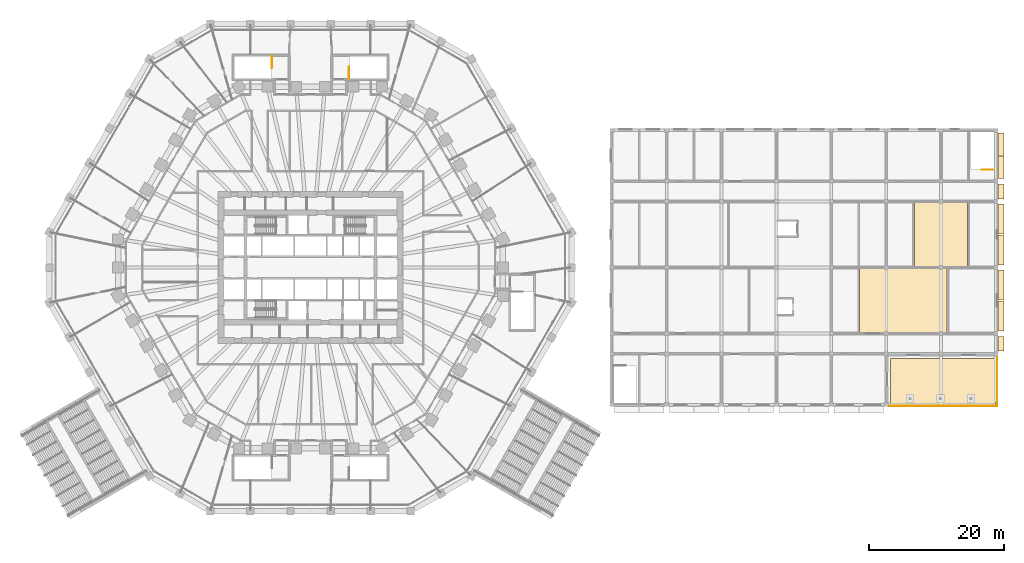
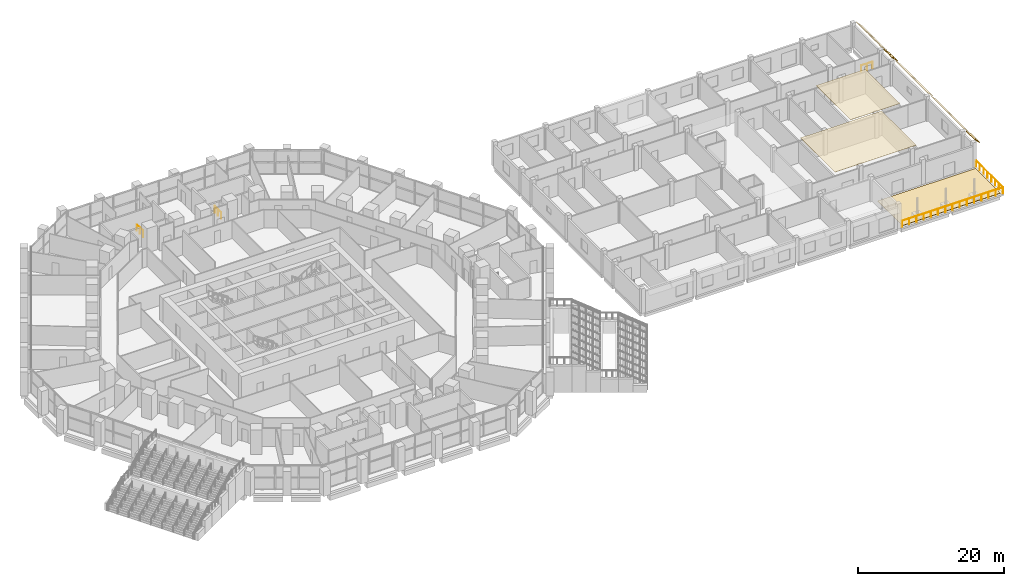
# One storey, part 36 of 38: 11 coverings, 4 railings.
"""IFC4 building model written with IfcOpenShell, lengths in metres."""

from ifc_helpers import new_model, si_unit, direction, frame, origin, origin_2d, place, context, subcontext, project, spatial, polyline, circle, outline, extrude, material, layer, layer_set, type_object, element, save


model = new_model("IFC4")

# Units and contexts
model_context = context("Model", 3, precision=1e-05, world=origin(), true_north=direction((0.0, 1.0)))
body_context = subcontext(model_context, "Body", "Model", "MODEL_VIEW")
ifc_project = project(units=[si_unit("LENGTHUNIT", "METRE"), si_unit("AREAUNIT", "SQUARE_METRE"), si_unit("VOLUMEUNIT", "CUBIC_METRE"), si_unit("PLANEANGLEUNIT", "RADIAN"), si_unit("MASSUNIT", "GRAM", prefix="KILO")], contexts=[model_context])

# Site, building, storey
site_placement = place(None, origin())
site = spatial("IfcSite", under=ifc_project, at=site_placement, CompositionType="ELEMENT")
building_placement = place(site_placement, origin())
building = spatial("IfcBuilding", under=site, at=building_placement, Name="Frailejon Research Tower", CompositionType="ELEMENT")
storey_placement = place(building_placement, frame((0.0, 0.0, 10.199951171875)))
storey = spatial("IfcBuildingStorey", under=building, at=storey_placement, Name="L02", CompositionType="ELEMENT", Elevation=10.199951171875)

# Railings
ifc_material_1 = material(Name="Galvanised steel balustrade", Category="steel")
railing_type_1 = type_object("IfcRailingType", Name="HC stair guard 1100", PredefinedType="GUARDRAIL", material=ifc_material_1)
railing_1_placement = place(storey_placement, frame((100.89990234375, 14.449951171875, 0.0)))
element("IfcRailing", 1, at=railing_1_placement, inside=storey, type_object=railing_type_1, Name="L02 HS-B top well guard 1", PredefinedType="GUARDRAIL", context=body_context, shape_type="SweptSolid", body=[
    extrude(circle(Radius=0.02392578125, at=origin_2d()), frame((0.0, 0.0, 1.076171875), z_axis=(-1.0, 0.0, 0.0), x_axis=(0.0, -1.0, 0.0)), (0.0, 0.0, 1.0), 1.75),
    extrude(circle(Radius=0.02099609375, at=origin_2d()), origin(), (0.0, 0.0, 1.0), 1.052001953125),
    extrude(circle(Radius=0.02099609375, at=origin_2d()), frame((-0.875, 0.0, 0.0)), (0.0, 0.0, 1.0), 1.052001953125),
    extrude(circle(Radius=0.02099609375, at=origin_2d()), frame((-1.75, 0.0, 0.0)), (0.0, 0.0, 1.0), 1.052001953125),
])
ifc_material_2 = material(Name="Galvanised steel balustrade", Category="steel")
railing_type_2 = type_object("IfcRailingType", Name="HC terrace guard 1100", PredefinedType="GUARDRAIL", material=ifc_material_2)
railing_2_placement = place(storey_placement, frame((85.449951171875, -20.449951171875, 0.0)))
element("IfcRailing", 2, at=railing_2_placement, inside=storey, type_object=railing_type_2, Name="HC roof garden terrace guard", PredefinedType="GUARDRAIL", context=body_context, shape_type="SweptSolid", body=[
    extrude(circle(Radius=0.02392578125, at=origin_2d()), frame((0.0, 0.0, 1.076171875), z_axis=(1.0, 0.0, 0.0), x_axis=(0.0, 1.0, 0.0)), (0.0, 0.0, 1.0), 15.949951171875),
    extrude(circle(Radius=0.02392578125, at=origin_2d()), frame((15.949951171875, 0.0, 1.076171875), z_axis=(0.0, 1.0, 0.0), x_axis=(-1.0, 0.0, 0.0)), (0.0, 0.0, 1.0), 7.39990234375),
    extrude(circle(Radius=0.02099609375, at=origin_2d()), origin(), (0.0, 0.0, 1.0), 1.052001953125),
    extrude(circle(Radius=0.02099609375, at=origin_2d()), frame((1.13916015625, 0.0, 0.0)), (0.0, 0.0, 1.0), 1.052001953125),
    extrude(circle(Radius=0.02099609375, at=origin_2d()), frame((2.278564453125, 0.0, 0.0)), (0.0, 0.0, 1.0), 1.052001953125),
    extrude(circle(Radius=0.02099609375, at=origin_2d()), frame((3.41796875, 0.0, 0.0)), (0.0, 0.0, 1.0), 1.052001953125),
    extrude(circle(Radius=0.02099609375, at=origin_2d()), frame((4.55712890625, 0.0, 0.0)), (0.0, 0.0, 1.0), 1.052001953125),
    extrude(circle(Radius=0.02099609375, at=origin_2d()), frame((5.6962890625, 0.0, 0.0)), (0.0, 0.0, 1.0), 1.052001953125),
    extrude(circle(Radius=0.02099609375, at=origin_2d()), frame((6.835693359375, 0.0, 0.0)), (0.0, 0.0, 1.0), 1.052001953125),
    extrude(circle(Radius=0.02099609375, at=origin_2d()), frame((7.97509765625, 0.0, 0.0)), (0.0, 0.0, 1.0), 1.052001953125),
    extrude(circle(Radius=0.02099609375, at=origin_2d()), frame((9.1142578125, 0.0, 0.0)), (0.0, 0.0, 1.0), 1.052001953125),
    extrude(circle(Radius=0.02099609375, at=origin_2d()), frame((10.25341796875, 0.0, 0.0)), (0.0, 0.0, 1.0), 1.052001953125),
    extrude(circle(Radius=0.02099609375, at=origin_2d()), frame((11.392822265625, 0.0, 0.0)), (0.0, 0.0, 1.0), 1.052001953125),
    extrude(circle(Radius=0.02099609375, at=origin_2d()), frame((12.5322265625, 0.0, 0.0)), (0.0, 0.0, 1.0), 1.052001953125),
    extrude(circle(Radius=0.02099609375, at=origin_2d()), frame((13.67138671875, 0.0, 0.0)), (0.0, 0.0, 1.0), 1.052001953125),
    extrude(circle(Radius=0.02099609375, at=origin_2d()), frame((14.810546875, 0.0, 0.0)), (0.0, 0.0, 1.0), 1.052001953125),
    extrude(circle(Radius=0.02099609375, at=origin_2d()), frame((15.949951171875, 0.0, 0.0)), (0.0, 0.0, 1.0), 1.052001953125),
    extrude(circle(Radius=0.02099609375, at=origin_2d()), frame((15.949951171875, 1.05712890625, 0.0)), (0.0, 0.0, 1.0), 1.052001953125),
    extrude(circle(Radius=0.02099609375, at=origin_2d()), frame((15.949951171875, 2.1142578125, 0.0)), (0.0, 0.0, 1.0), 1.052001953125),
    extrude(circle(Radius=0.02099609375, at=origin_2d()), frame((15.949951171875, 3.17138671875, 0.0)), (0.0, 0.0, 1.0), 1.052001953125),
    extrude(circle(Radius=0.02099609375, at=origin_2d()), frame((15.949951171875, 4.228515625, 0.0)), (0.0, 0.0, 1.0), 1.052001953125),
    extrude(circle(Radius=0.02099609375, at=origin_2d()), frame((15.949951171875, 5.28564453125, 0.0)), (0.0, 0.0, 1.0), 1.052001953125),
    extrude(circle(Radius=0.02099609375, at=origin_2d()), frame((15.949951171875, 6.3427734375, 0.0)), (0.0, 0.0, 1.0), 1.052001953125),
    extrude(circle(Radius=0.02099609375, at=origin_2d()), frame((15.949951171875, 7.39990234375, 0.0)), (0.0, 0.0, 1.0), 1.052001953125),
])

# Coverings
ifc_material_3 = material(Name="Precast concrete C50/60", Category="concrete")
ifc_layer_1 = layer(ifc_material_3, 0.06005859375)
ifc_layer_set_1 = layer_set([ifc_layer_1], Name="HC visor depth 900")
covering_type_1 = type_object("IfcCoveringType", Name="HC visor depth 900", PredefinedType="CLADDING", material=ifc_layer_set_1)
covering_1_placement = place(storey_placement, frame((101.5, -10.14990234375, 4.25), z_axis=(0.0, -1.0, 0.0), x_axis=(1.0, 0.0, 0.0)))
element("IfcCovering", 3, at=covering_1_placement, inside=storey, type_object=covering_type_1, Name="HC visor L02", PredefinedType="CLADDING", context=body_context, shape_type="SweptSolid", body=[
    extrude(outline(polyline([(0.0, -0.0849609375), (0.89990234375, -0.98486328125), (0.89990234375, -0.89990234375), (0.0, 0.0), (0.0, -0.0849609375)])), origin(), (0.0, 0.0, 1.0), 2.199951171875),
])
for number, where, z_axis, x_axis, name in (
    (4, (101.5, -4.925048828125, 4.25), (0.0, -1.0, 0.0), (1.0, 0.0, 0.0), "HC visor L02"),
    (5, (101.5, -0.39990234375, 4.25), (0.0, -1.0, 0.0), (1.0, 0.0, 0.0), "HC visor L02"),
    (6, (101.5, 4.824951171875, 4.25), (0.0, -1.0, 0.0), (1.0, 0.0, 0.0), "HC visor L02"),
    (7, (101.5, 9.35009765625, 4.25), (0.0, -1.0, 0.0), (1.0, 0.0, 0.0), "HC visor L02"),
):
    element("IfcCovering", number, at=place(storey_placement, frame(where, z_axis=z_axis, x_axis=x_axis)), inside=storey, type_object=covering_type_1, Name=name, PredefinedType="CLADDING", context=body_context, shape_type="SweptSolid", body=[
        extrude(outline(polyline([(0.0, -0.0849609375), (0.89990234375, -0.98486328125), (0.89990234375, -0.89990234375), (0.0, 0.0), (0.0, -0.0849609375)])), origin(), (0.0, 0.0, 1.0), 4.425048828125),
    ])
covering_2_placement = place(storey_placement, frame((101.5, 12.35009765625, 4.25), z_axis=(0.0, -1.0, 0.0), x_axis=(1.0, 0.0, 0.0)))
element("IfcCovering", 8, at=covering_2_placement, inside=storey, type_object=covering_type_1, Name="HC visor L02", PredefinedType="CLADDING", context=body_context, shape_type="SweptSolid", body=[
    extrude(outline(polyline([(0.0, -0.0849609375), (0.89990234375, -0.98486328125), (0.89990234375, -0.89990234375), (0.0, 0.0), (0.0, -0.0849609375)])), origin(), (0.0, 0.0, 1.0), 2.199951171875),
])
for number, where, z_axis, x_axis, name in (
    (9, (101.5, 16.449951171875, 4.25), (0.0, -1.0, 0.0), (1.0, 0.0, 0.0), "HC visor L02"),
    (10, (101.5, 19.85009765625, 4.25), (0.0, -1.0, 0.0), (1.0, 0.0, 0.0), "HC visor L02"),
):
    element("IfcCovering", number, at=place(storey_placement, frame(where, z_axis=z_axis, x_axis=x_axis)), inside=storey, type_object=covering_type_1, Name=name, PredefinedType="CLADDING", context=body_context, shape_type="SweptSolid", body=[
        extrude(outline(polyline([(0.0, -0.0849609375), (0.89990234375, -0.98486328125), (0.89990234375, -0.89990234375), (0.0, 0.0), (0.0, -0.0849609375)])), origin(), (0.0, 0.0, 1.0), 3.300048828125),
    ])
ifc_material_4 = material(Name="Bituminous roofing membrane with gravel ballast")
ifc_layer_2 = layer(ifc_material_4, 0.06005859375)
ifc_layer_set_2 = layer_set([ifc_layer_2], Name="Roofing membrane and ballast 60")
covering_type_2 = type_object("IfcCoveringType", Name="Roofing membrane and ballast 60", PredefinedType="ROOFING", material=ifc_layer_set_2)
covering_3_placement = place(storey_placement, origin())
element("IfcCovering", 11, at=covering_3_placement, inside=storey, type_object=covering_type_2, Name="Roofing HC roof garden terrace slab", PredefinedType="ROOFING", context=body_context, shape_type="SweptSolid", body=[
    extrude(outline(polyline([(101.14990234375, -20.199951171875), (101.14990234375, -13.39990234375), (85.64990234375, -13.39990234375), (85.64990234375, -20.199951171875), (101.14990234375, -20.199951171875)])), origin(), (0.0, 0.0, 1.0), 0.06005859375),
])

# Railings
ifc_material_5 = material(Name="Stainless steel", Category="steel")
railing_type_3 = type_object("IfcRailingType", Name="Stair guard 1100", PredefinedType="GUARDRAIL", material=ifc_material_5)
railing_3_placement = place(storey_placement, frame((-5.70703125, 31.22509765625, 0.0)))
element("IfcRailing", 12, at=railing_3_placement, inside=storey, type_object=railing_type_3, Name="L02 PS1 top well guard 1", PredefinedType="GUARDRAIL", context=body_context, shape_type="SweptSolid", body=[
    extrude(circle(Radius=0.02392578125, at=origin_2d()), frame((0.0, 0.0, 1.076171875), z_axis=(0.0, -1.0, 0.0), x_axis=(1.0, 0.0, 0.0)), (0.0, 0.0, 1.0), 1.75),
    extrude(circle(Radius=0.02099609375, at=origin_2d()), origin(), (0.0, 0.0, 1.0), 1.052001953125),
    extrude(circle(Radius=0.02099609375, at=origin_2d()), frame((0.0, -0.875, 0.0)), (0.0, 0.0, 1.0), 1.052001953125),
    extrude(circle(Radius=0.02099609375, at=origin_2d()), frame((0.0, -1.75, 0.0)), (0.0, 0.0, 1.0), 1.052001953125),
])
railing_4_placement = place(storey_placement, frame((5.70703125, 27.875, 0.0)))
element("IfcRailing", 13, at=railing_4_placement, inside=storey, type_object=railing_type_3, Name="L02 PS2 top well guard 1", PredefinedType="GUARDRAIL", context=body_context, shape_type="SweptSolid", body=[
    extrude(circle(Radius=0.02392578125, at=origin_2d()), frame((0.0, 0.0, 1.076171875), z_axis=(0.0, 1.0, 0.0), x_axis=(-1.0, 0.0, 0.0)), (0.0, 0.0, 1.0), 1.75),
    extrude(circle(Radius=0.02099609375, at=origin_2d()), origin(), (0.0, 0.0, 1.0), 1.052001953125),
    extrude(circle(Radius=0.02099609375, at=origin_2d()), frame((0.0, 0.875, 0.0)), (0.0, 0.0, 1.0), 1.052001953125),
    extrude(circle(Radius=0.02099609375, at=origin_2d()), frame((0.0, 1.75, 0.0)), (0.0, 0.0, 1.0), 1.052001953125),
])

# Coverings
ifc_material_6 = material(Name="Mineral fibre ceiling board")
ifc_layer_3 = layer(ifc_material_6, 0.0400390625)
ifc_layer_set_3 = layer_set([ifc_layer_3], Name="Suspended ceiling 40")
covering_type_3 = type_object("IfcCoveringType", Name="Suspended ceiling 40", PredefinedType="CEILING", material=ifc_layer_set_3)
covering_4_placement = place(storey_placement, frame((0.0, 0.0, 4.110107421875)))
element("IfcCovering", 14, at=covering_4_placement, inside=storey, type_object=covering_type_3, Name="Ceiling Recovery lounge H212", PredefinedType="CEILING", context=body_context, shape_type="SweptSolid", body=[
    extrude(outline(polyline([(93.96240234375, -0.14990234375), (81.10009765625, -0.14990234375), (81.10009765625, -9.60009765625), (93.96240234375, -9.60009765625), (93.96240234375, -0.14990234375)])), origin(), (0.0, 0.0, 1.0), 0.0400390625),
])
covering_5_placement = place(storey_placement, frame((0.0, 0.0, 4.110107421875)))
element("IfcCovering", 15, at=covering_5_placement, inside=storey, type_object=covering_type_3, Name="Ceiling Meeting room H221", PredefinedType="CEILING", context=body_context, shape_type="SweptSolid", body=[
    extrude(outline(polyline([(97.0, 9.60009765625), (89.199951171875, 9.60009765625), (89.199951171875, 0.14990234375), (97.0, 0.14990234375), (97.0, 9.60009765625)])), origin(), (0.0, 0.0, 1.0), 0.0400390625),
])

save(model, "model.ifc")
